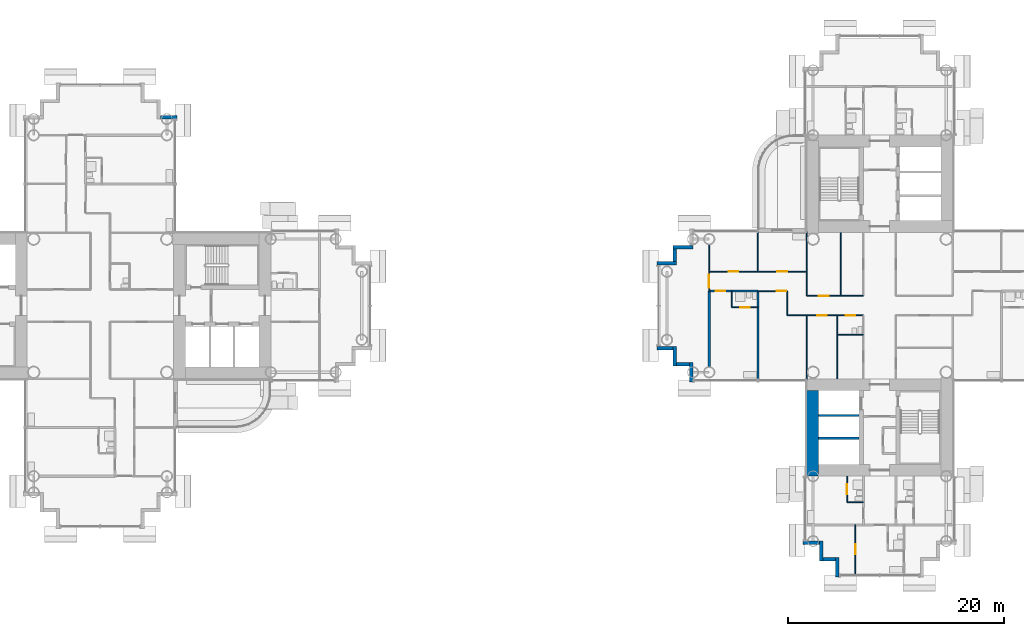
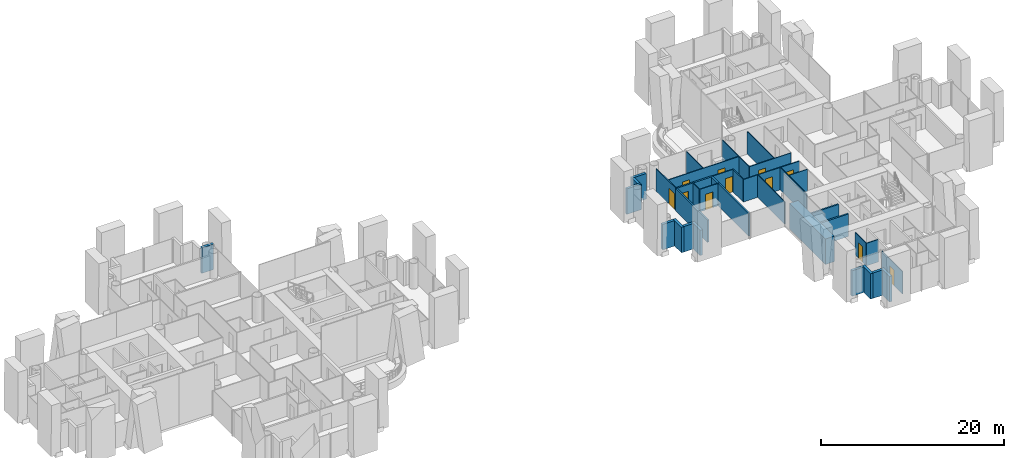
# One storey, part 13 of 23: 35 walls, 11 doors, 11 openings.
"""IFC4 building model written with IfcOpenShell, lengths in metres."""

from ifc_helpers import new_model, si_unit, direction, frame, frame_2d, origin, place, context, subcontext, project, spatial, rectangle, extrude, material, layer, layer_set, type_object, element, fill, save


model = new_model("IFC4")

# Units and contexts
model_context = context("Model", 3, precision=1e-05, world=origin(), true_north=direction((0.0, 1.0)))
body_context = subcontext(model_context, "Body", "Model", "MODEL_VIEW")
ifc_project = project(units=[si_unit("LENGTHUNIT", "METRE"), si_unit("AREAUNIT", "SQUARE_METRE"), si_unit("VOLUMEUNIT", "CUBIC_METRE"), si_unit("PLANEANGLEUNIT", "RADIAN"), si_unit("MASSUNIT", "GRAM", prefix="KILO")], contexts=[model_context])

# Site, building, storey
site_placement = place(None, origin())
site = spatial("IfcSite", under=ifc_project, at=site_placement, CompositionType="ELEMENT")
building_placement = place(site_placement, origin())
building = spatial("IfcBuilding", under=site, at=building_placement, Name="Ipe Terrace Towers", CompositionType="ELEMENT")
storey_placement = place(building_placement, frame((0.0, 0.0, 44.89990234375)))
storey = spatial("IfcBuildingStorey", under=building, at=storey_placement, Name="L11", CompositionType="ELEMENT", Elevation=44.89990234375)

# Walls
ifc_material_1 = material(Name="Concrete C40/50 with buff precast cladding", Category="concrete")
ifc_layer_1 = layer(ifc_material_1, 0.320068359375)
ifc_layer_set_1 = layer_set([ifc_layer_1], Name="BUFF CLADDING WALL 320")
wall_type_1 = type_object("IfcWallType", Name="BUFF CLADDING WALL 320", PredefinedType="STANDARD", material=ifc_layer_set_1)
wall_1_placement = place(storey_placement, frame((-28.929931640625, 17.409912109375, -0.2998046875), z_axis=(0.0, 0.0, 1.0), x_axis=(-1.0, 0.0, 0.0)))
element("IfcWall", 1, at=wall_1_placement, inside=storey, type_object=wall_type_1, Name="T1-W-L11-34a wall", PredefinedType="STANDARD", context=body_context, shape_type="SweptSolid", body=[
    extrude(rectangle(XDim=1.5, YDim=0.320068359375, at=frame_2d((0.75, 0.0))), origin(), (0.0, 0.0, 1.0), 3.39990234375),
])
wall_2_placement = place(storey_placement, frame((18.75, 5.409912109375, -0.2998046875), z_axis=(0.0, 0.0, 1.0), x_axis=(-1.0, 0.0, 0.0)))
element("IfcWall", 2, at=wall_2_placement, inside=storey, type_object=wall_type_1, Name="T2-W-L11-35a wall", PredefinedType="STANDARD", context=body_context, shape_type="SweptSolid", body=[
    extrude(rectangle(XDim=1.820068359375, YDim=0.320068359375, at=frame_2d((0.91015625, 0.0))), origin(), (0.0, 0.0, 1.0), 3.39990234375),
])
wall_3_placement = place(storey_placement, frame((17.090087890625, 5.25, -0.2998046875), z_axis=(0.0, 0.0, 1.0), x_axis=(0.0, -1.0, 0.0)))
element("IfcWall", 3, at=wall_3_placement, inside=storey, type_object=wall_type_1, Name="T2-W-L11-36a wall", PredefinedType="STANDARD", context=body_context, shape_type="SweptSolid", body=[
    extrude(rectangle(XDim=1.179931640625, YDim=0.320068359375, at=frame_2d((0.58984375, 0.0))), origin(), (0.0, 0.0, 1.0), 3.39990234375),
])
wall_4_placement = place(storey_placement, frame((17.25, 3.909912109375, -0.2998046875), z_axis=(0.0, 0.0, 1.0), x_axis=(-1.0, 0.0, 0.0)))
element("IfcWall", 4, at=wall_4_placement, inside=storey, type_object=wall_type_1, Name="T2-W-L11-37a wall", PredefinedType="STANDARD", context=body_context, shape_type="SweptSolid", body=[
    extrude(rectangle(XDim=1.820068359375, YDim=0.320068359375, at=frame_2d((0.91015625, 0.0))), origin(), (0.0, 0.0, 1.0), 3.39990234375),
])
wall_5_placement = place(storey_placement, frame((15.429931640625, -3.909912109375, -0.2998046875), z_axis=(0.0, 0.0, 1.0), x_axis=(1.0, 0.0, 0.0)))
element("IfcWall", 5, at=wall_5_placement, inside=storey, type_object=wall_type_1, Name="T2-W-L11-39a wall", PredefinedType="STANDARD", context=body_context, shape_type="SweptSolid", body=[
    extrude(rectangle(XDim=1.5, YDim=0.320068359375, at=frame_2d((0.75, 0.0))), origin(), (0.0, 0.0, 1.0), 3.39990234375),
])
wall_6_placement = place(storey_placement, frame((17.090087890625, -3.75, -0.2998046875), z_axis=(0.0, 0.0, 1.0), x_axis=(0.0, -1.0, 0.0)))
element("IfcWall", 6, at=wall_6_placement, inside=storey, type_object=wall_type_1, Name="T2-W-L11-40a wall", PredefinedType="STANDARD", context=body_context, shape_type="SweptSolid", body=[
    extrude(rectangle(XDim=1.820068359375, YDim=0.320068359375, at=frame_2d((0.91015625, 0.0))), origin(), (0.0, 0.0, 1.0), 3.39990234375),
])
wall_7_placement = place(storey_placement, frame((17.25, -5.409912109375, -0.2998046875), z_axis=(0.0, 0.0, 1.0), x_axis=(1.0, 0.0, 0.0)))
element("IfcWall", 7, at=wall_7_placement, inside=storey, type_object=wall_type_1, Name="T2-W-L11-41a wall", PredefinedType="STANDARD", context=body_context, shape_type="SweptSolid", body=[
    extrude(rectangle(XDim=1.179931640625, YDim=0.320068359375, at=frame_2d((0.58984375, 0.0))), origin(), (0.0, 0.0, 1.0), 3.39990234375),
])
wall_8_placement = place(storey_placement, frame((18.590087890625, -5.25, -0.2998046875), z_axis=(0.0, 0.0, 1.0), x_axis=(0.0, -1.0, 0.0)))
element("IfcWall", 8, at=wall_8_placement, inside=storey, type_object=wall_type_1, Name="T2-W-L11-42a wall", PredefinedType="STANDARD", context=body_context, shape_type="SweptSolid", body=[
    extrude(rectangle(XDim=1.820068359375, YDim=0.320068359375, at=frame_2d((0.91015625, 0.0))), origin(), (0.0, 0.0, 1.0), 3.39990234375),
])
wall_9_placement = place(storey_placement, frame((28.929931640625, -21.909912109375, -0.2998046875), z_axis=(0.0, 0.0, 1.0), x_axis=(1.0, 0.0, 0.0)))
element("IfcWall", 9, at=wall_9_placement, inside=storey, type_object=wall_type_1, Name="T2-W-L11-47a wall", PredefinedType="STANDARD", context=body_context, shape_type="SweptSolid", body=[
    extrude(rectangle(XDim=1.5, YDim=0.320068359375, at=frame_2d((0.75, 0.0))), origin(), (0.0, 0.0, 1.0), 3.39990234375),
])
wall_10_placement = place(storey_placement, frame((30.590087890625, -21.75, -0.2998046875), z_axis=(0.0, 0.0, 1.0), x_axis=(0.0, -1.0, 0.0)))
element("IfcWall", 10, at=wall_10_placement, inside=storey, type_object=wall_type_1, Name="T2-W-L11-48a wall", PredefinedType="STANDARD", context=body_context, shape_type="SweptSolid", body=[
    extrude(rectangle(XDim=1.820068359375, YDim=0.320068359375, at=frame_2d((0.91015625, 0.0))), origin(), (0.0, 0.0, 1.0), 3.39990234375),
])
wall_11_placement = place(storey_placement, frame((30.75, -23.409912109375, -0.2998046875), z_axis=(0.0, 0.0, 1.0), x_axis=(1.0, 0.0, 0.0)))
element("IfcWall", 11, at=wall_11_placement, inside=storey, type_object=wall_type_1, Name="T2-W-L11-49a wall", PredefinedType="STANDARD", context=body_context, shape_type="SweptSolid", body=[
    extrude(rectangle(XDim=1.179931640625, YDim=0.320068359375, at=frame_2d((0.58984375, 0.0))), origin(), (0.0, 0.0, 1.0), 3.39990234375),
])
wall_12_placement = place(storey_placement, frame((32.090087890625, -23.25, -0.2998046875), z_axis=(0.0, 0.0, 1.0), x_axis=(0.0, -1.0, 0.0)))
element("IfcWall", 12, at=wall_12_placement, inside=storey, type_object=wall_type_1, Name="T2-W-L11-50a wall", PredefinedType="STANDARD", context=body_context, shape_type="SweptSolid", body=[
    extrude(rectangle(XDim=1.820068359375, YDim=0.320068359375, at=frame_2d((0.91015625, 0.0))), origin(), (0.0, 0.0, 1.0), 3.39990234375),
])
ifc_material_2 = material(Name="Gypsum board partition", Category="plasterboard")
ifc_layer_2 = layer(ifc_material_2, 0.10009765625)
ifc_layer_set_2 = layer_set([ifc_layer_2], Name="Gypsum board partition 100 mm")
wall_type_2 = type_object("IfcWallType", Name="Gypsum board partition 100 mm", PredefinedType="PARTITIONING", material=ifc_layer_set_2)
wall_13_placement = place(storey_placement, frame((34.5, -18.14990234375, 0.0), z_axis=(0.0, 0.0, 1.0), x_axis=(-1.0, 0.0, 0.0)))
element("IfcWall", 13, at=wall_13_placement, inside=storey, type_object=wall_type_2, Name="Gypsum board partition T2 L11 W04", PredefinedType="PARTITIONING", context=body_context, shape_type="SweptSolid", body=[
    extrude(rectangle(XDim=1.5, YDim=0.10009765625, at=frame_2d((0.75, 0.0))), origin(), (0.0, 0.0, 1.0), 3.0),
])
wall_14_placement = place(storey_placement, frame((34.5, -2.699951171875, 0.0), z_axis=(0.0, 0.0, 1.0), x_axis=(-1.0, 0.0, 0.0)))
element("IfcWall", 14, at=wall_14_placement, inside=storey, type_object=wall_type_2, Name="Gypsum board partition T2 L11 W06", PredefinedType="PARTITIONING", context=body_context, shape_type="SweptSolid", body=[
    extrude(rectangle(XDim=2.39990234375, YDim=0.10009765625, at=frame_2d((1.199951171875, 0.0))), origin(), (0.0, 0.0, 1.0), 3.0),
])

# Wall, openings, doors
wall_15_placement = place(storey_placement, frame((34.5, -0.89990234375, 0.0), z_axis=(0.0, 0.0, 1.0), x_axis=(-1.0, 0.0, 0.0)))
wall_15 = element("IfcWall", 15, at=wall_15_placement, inside=storey, type_object=wall_type_2, Name="Gypsum board partition T2 L11 W08", PredefinedType="PARTITIONING", context=body_context, shape_type="SweptSolid", body=[
    extrude(rectangle(XDim=7.050048828125, YDim=0.10009765625, at=frame_2d((3.52490234375, 0.0))), origin(), (0.0, 0.0, 1.0), 3.0),
])
opening_1_placement = place(wall_15_placement, frame((0.75, 0.0, 0.0)))
opening_1 = element("IfcOpeningElement", 16, at=opening_1_placement, cuts=wall_15, Name="Opening T2-Z1C-01", PredefinedType="OPENING", context=body_context, shape_type="SweptSolid", body=[
    extrude(rectangle(XDim=0.89990234375, YDim=2.10009765625, at=frame_2d((0.449951171875, 1.050048828125))), frame((0.0, 0.06005859375, 0.0), z_axis=(0.0, -1.0, 0.0), x_axis=(1.0, 0.0, 0.0)), (0.0, 0.0, 1.0), 0.1201171875),
])
opening_2_placement = place(wall_15_placement, frame((3.375, 0.0, 0.0)))
opening_2 = element("IfcOpeningElement", 17, at=opening_2_placement, cuts=wall_15, Name="Opening T2-Z1C-05", PredefinedType="OPENING", context=body_context, shape_type="SweptSolid", body=[
    extrude(rectangle(XDim=0.89990234375, YDim=2.10009765625, at=frame_2d((0.449951171875, 1.050048828125))), frame((0.0, 0.06005859375, 0.0), z_axis=(0.0, -1.0, 0.0), x_axis=(1.0, 0.0, 0.0)), (0.0, 0.0, 1.0), 0.1201171875),
])
ifc_material_3 = material(Name="Timber door leaf", Category="wood")
door_type_1 = type_object("IfcDoorType", Name="Bathroom door 900 x 2100", OperationType="NOTDEFINED", PredefinedType="DOOR", material=ifc_material_3)
door_1_placement = place(opening_1_placement, origin())
door_1 = element("IfcDoor", 18, at=door_1_placement, inside=storey, type_object=door_type_1, Name="Bathroom door T2-Z1C-01", OperationType="SINGLE_SWING_RIGHT", OverallHeight=2.10009765625, OverallWidth=0.89990234375, PredefinedType="DOOR", context=body_context, shape_type="SweptSolid", body=[
    extrude(rectangle(XDim=0.89990234375, YDim=2.10009765625, at=frame_2d((0.449951171875, 1.050048828125))), frame((0.0, 0.02490234375, 0.0), z_axis=(0.0, -1.0, 0.0), x_axis=(1.0, 0.0, 0.0)), (0.0, 0.0, 1.0), 0.050048828125),
])
fill(opening_1, door_1)
ifc_material_4 = material(Name="Timber door leaf", Category="wood")
door_type_2 = type_object("IfcDoorType", Name="Lounge door 900 x 2100", OperationType="NOTDEFINED", PredefinedType="DOOR", material=ifc_material_4)
door_2_placement = place(opening_2_placement, origin())
door_2 = element("IfcDoor", 19, at=door_2_placement, inside=storey, type_object=door_type_2, Name="Lounge door T2-Z1C-05", OperationType="SINGLE_SWING_LEFT", OverallHeight=2.10009765625, OverallWidth=0.89990234375, PredefinedType="DOOR", context=body_context, shape_type="SweptSolid", body=[
    extrude(rectangle(XDim=0.89990234375, YDim=2.10009765625, at=frame_2d((0.449951171875, 1.050048828125))), frame((0.0, 0.02490234375, 0.0), z_axis=(0.0, -1.0, 0.0), x_axis=(1.0, 0.0, 0.0)), (0.0, 0.0, 1.0), 0.050048828125),
])
fill(opening_2, door_2)

# Wall, opening, door
wall_16_placement = place(storey_placement, frame((24.75, -0.14990234375, 0.0), z_axis=(0.0, 0.0, 1.0), x_axis=(-1.0, 0.0, 0.0)))
wall_16 = element("IfcWall", 20, at=wall_16_placement, inside=storey, type_object=wall_type_2, Name="Gypsum board partition T2 L11 W10", PredefinedType="PARTITIONING", context=body_context, shape_type="SweptSolid", body=[
    extrude(rectangle(XDim=2.39990234375, YDim=0.10009765625, at=frame_2d((1.199951171875, 0.0))), origin(), (0.0, 0.0, 1.0), 3.0),
])
opening_3_placement = place(wall_16_placement, frame((0.75, 0.0, 0.0)))
opening_3 = element("IfcOpeningElement", 21, at=opening_3_placement, cuts=wall_16, Name="Opening T2-Z1C-11", PredefinedType="OPENING", context=body_context, shape_type="SweptSolid", body=[
    extrude(rectangle(XDim=0.89990234375, YDim=2.10009765625, at=frame_2d((0.449951171875, 1.050048828125))), frame((0.0, 0.06005859375, 0.0), z_axis=(0.0, -1.0, 0.0), x_axis=(1.0, 0.0, 0.0)), (0.0, 0.0, 1.0), 0.1201171875),
])
door_3_placement = place(opening_3_placement, origin())
door_3 = element("IfcDoor", 22, at=door_3_placement, inside=storey, type_object=door_type_1, Name="Bathroom door T2-Z1C-11", OperationType="SINGLE_SWING_LEFT", OverallHeight=2.10009765625, OverallWidth=0.89990234375, PredefinedType="DOOR", context=body_context, shape_type="SweptSolid", body=[
    extrude(rectangle(XDim=0.89990234375, YDim=2.10009765625, at=frame_2d((0.449951171875, 1.050048828125))), frame((0.0, 0.02490234375, 0.0), z_axis=(0.0, -1.0, 0.0), x_axis=(1.0, 0.0, 0.0)), (0.0, 0.0, 1.0), 0.050048828125),
])
fill(opening_3, door_3)

wall_17_placement = place(storey_placement, frame((34.5, 0.89990234375, 0.0), z_axis=(0.0, 0.0, 1.0), x_axis=(-1.0, 0.0, 0.0)))
wall_17 = element("IfcWall", 23, at=wall_17_placement, inside=storey, type_object=wall_type_2, Name="Gypsum board partition T2 L11 W12", PredefinedType="PARTITIONING", context=body_context, shape_type="SweptSolid", body=[
    extrude(rectangle(XDim=5.25, YDim=0.10009765625, at=frame_2d((2.625, 0.0))), origin(), (0.0, 0.0, 1.0), 3.0),
])
opening_4_placement = place(wall_17_placement, frame((3.22509765625, 0.0, 0.0)))
opening_4 = element("IfcOpeningElement", 24, at=opening_4_placement, cuts=wall_17, Name="Opening T2-Z1C-03", PredefinedType="OPENING", context=body_context, shape_type="SweptSolid", body=[
    extrude(rectangle(XDim=0.89990234375, YDim=2.10009765625, at=frame_2d((0.449951171875, 1.050048828125))), frame((0.0, 0.06005859375, 0.0), z_axis=(0.0, -1.0, 0.0), x_axis=(1.0, 0.0, 0.0)), (0.0, 0.0, 1.0), 0.1201171875),
])
door_4_placement = place(opening_4_placement, origin())
door_4 = element("IfcDoor", 25, at=door_4_placement, inside=storey, type_object=door_type_2, Name="Lounge door T2-Z1C-03", OperationType="SINGLE_SWING_RIGHT", OverallHeight=2.10009765625, OverallWidth=0.89990234375, PredefinedType="DOOR", context=body_context, shape_type="SweptSolid", body=[
    extrude(rectangle(XDim=0.89990234375, YDim=2.10009765625, at=frame_2d((0.449951171875, 1.050048828125))), frame((0.0, 0.02490234375, 0.0), z_axis=(0.0, -1.0, 0.0), x_axis=(1.0, 0.0, 0.0)), (0.0, 0.0, 1.0), 0.050048828125),
])
fill(opening_4, door_4)

wall_18_placement = place(storey_placement, frame((27.449951171875, 1.35009765625, 0.0), z_axis=(0.0, 0.0, 1.0), x_axis=(-1.0, 0.0, 0.0)))
wall_18 = element("IfcWall", 26, at=wall_18_placement, inside=storey, type_object=wall_type_2, Name="Gypsum board partition T2 L11 W14", PredefinedType="PARTITIONING", context=body_context, shape_type="SweptSolid", body=[
    extrude(rectangle(XDim=2.699951171875, YDim=0.10009765625, at=frame_2d((1.35009765625, 0.0))), origin(), (0.0, 0.0, 1.0), 3.0),
])
opening_5_placement = place(wall_18_placement, frame((0.070068359375, 0.0, 0.0)))
opening_5 = element("IfcOpeningElement", 27, at=opening_5_placement, cuts=wall_18, Name="Opening T2-Z1C-09", PredefinedType="OPENING", context=body_context, shape_type="SweptSolid", body=[
    extrude(rectangle(XDim=0.89990234375, YDim=2.10009765625, at=frame_2d((0.449951171875, 1.050048828125))), frame((0.0, 0.06005859375, 0.0), z_axis=(0.0, -1.0, 0.0), x_axis=(1.0, 0.0, 0.0)), (0.0, 0.0, 1.0), 0.1201171875),
])
door_5_placement = place(opening_5_placement, origin())
door_5 = element("IfcDoor", 28, at=door_5_placement, inside=storey, type_object=door_type_2, Name="Lounge door T2-Z1C-09", OperationType="SINGLE_SWING_RIGHT", OverallHeight=2.10009765625, OverallWidth=0.89990234375, PredefinedType="DOOR", context=body_context, shape_type="SweptSolid", body=[
    extrude(rectangle(XDim=0.89990234375, YDim=2.10009765625, at=frame_2d((0.449951171875, 1.050048828125))), frame((0.0, 0.02490234375, 0.0), z_axis=(0.0, -1.0, 0.0), x_axis=(1.0, 0.0, 0.0)), (0.0, 0.0, 1.0), 0.050048828125),
])
fill(opening_5, door_5)

# Wall, openings, doors
wall_19_placement = place(storey_placement, frame((29.25, 3.14990234375, 0.0), z_axis=(0.0, 0.0, 1.0), x_axis=(-1.0, 0.0, 0.0)))
wall_19 = element("IfcWall", 29, at=wall_19_placement, inside=storey, type_object=wall_type_2, Name="Gypsum board partition T2 L11 W18", PredefinedType="PARTITIONING", context=body_context, shape_type="SweptSolid", body=[
    extrude(rectangle(XDim=9.0, YDim=0.10009765625, at=frame_2d((4.5, 0.0))), origin(), (0.0, 0.0, 1.0), 3.0),
])
opening_6_placement = place(wall_19_placement, frame((1.800048828125, 0.0, 0.0)))
opening_6 = element("IfcOpeningElement", 30, at=opening_6_placement, cuts=wall_19, Name="Opening T2-Z1C-12", PredefinedType="OPENING", context=body_context, shape_type="SweptSolid", body=[
    extrude(rectangle(XDim=0.89990234375, YDim=2.10009765625, at=frame_2d((0.449951171875, 1.050048828125))), frame((0.0, 0.06005859375, 0.0), z_axis=(0.0, -1.0, 0.0), x_axis=(1.0, 0.0, 0.0)), (0.0, 0.0, 1.0), 0.1201171875),
])
opening_7_placement = place(wall_19_placement, frame((6.300048828125, 0.0, 0.0)))
opening_7 = element("IfcOpeningElement", 31, at=opening_7_placement, cuts=wall_19, Name="Opening T2-Z1C-13", PredefinedType="OPENING", context=body_context, shape_type="SweptSolid", body=[
    extrude(rectangle(XDim=0.89990234375, YDim=2.10009765625, at=frame_2d((0.449951171875, 1.050048828125))), frame((0.0, 0.06005859375, 0.0), z_axis=(0.0, -1.0, 0.0), x_axis=(1.0, 0.0, 0.0)), (0.0, 0.0, 1.0), 0.1201171875),
])
door_6_placement = place(opening_6_placement, origin())
door_6 = element("IfcDoor", 32, at=door_6_placement, inside=storey, type_object=door_type_2, Name="Lounge door T2-Z1C-12", OperationType="SINGLE_SWING_LEFT", OverallHeight=2.10009765625, OverallWidth=0.89990234375, PredefinedType="DOOR", context=body_context, shape_type="SweptSolid", body=[
    extrude(rectangle(XDim=0.89990234375, YDim=2.10009765625, at=frame_2d((0.449951171875, 1.050048828125))), frame((0.0, 0.02490234375, 0.0), z_axis=(0.0, -1.0, 0.0), x_axis=(1.0, 0.0, 0.0)), (0.0, 0.0, 1.0), 0.050048828125),
])
fill(opening_6, door_6)
door_7_placement = place(opening_7_placement, origin())
door_7 = element("IfcDoor", 33, at=door_7_placement, inside=storey, type_object=door_type_2, Name="Lounge door T2-Z1C-13", OperationType="SINGLE_SWING_RIGHT", OverallHeight=2.10009765625, OverallWidth=0.89990234375, PredefinedType="DOOR", context=body_context, shape_type="SweptSolid", body=[
    extrude(rectangle(XDim=0.89990234375, YDim=2.10009765625, at=frame_2d((0.449951171875, 1.050048828125))), frame((0.0, 0.02490234375, 0.0), z_axis=(0.0, -1.0, 0.0), x_axis=(1.0, 0.0, 0.0)), (0.0, 0.0, 1.0), 0.050048828125),
])
fill(opening_7, door_7)

# Wall, opening, door
wall_20_placement = place(storey_placement, frame((33.75, -24.85009765625, 0.0), z_axis=(0.0, 0.0, 1.0), x_axis=(0.0, 1.0, 0.0)))
wall_20 = element("IfcWall", 34, at=wall_20_placement, inside=storey, type_object=wall_type_2, Name="Gypsum board partition T2 L11 W44", PredefinedType="PARTITIONING", context=body_context, shape_type="SweptSolid", body=[
    extrude(rectangle(XDim=4.60009765625, YDim=0.10009765625, at=frame_2d((2.300048828125, 0.0))), origin(), (0.0, 0.0, 1.0), 3.0),
])
opening_8_placement = place(wall_20_placement, frame((1.89990234375, 0.0, 0.0)))
opening_8 = element("IfcOpeningElement", 35, at=opening_8_placement, cuts=wall_20, Name="Opening T2-Z1C-35", PredefinedType="OPENING", context=body_context, shape_type="SweptSolid", body=[
    extrude(rectangle(XDim=0.89990234375, YDim=2.10009765625, at=frame_2d((0.449951171875, 1.050048828125))), frame((0.0, 0.06005859375, 0.0), z_axis=(0.0, -1.0, 0.0), x_axis=(1.0, 0.0, 0.0)), (0.0, 0.0, 1.0), 0.1201171875),
])
door_8_placement = place(opening_8_placement, origin())
door_8 = element("IfcDoor", 36, at=door_8_placement, inside=storey, type_object=door_type_2, Name="Lounge door T2-Z1C-35", OperationType="SINGLE_SWING_LEFT", OverallHeight=2.10009765625, OverallWidth=0.89990234375, PredefinedType="DOOR", context=body_context, shape_type="SweptSolid", body=[
    extrude(rectangle(XDim=0.89990234375, YDim=2.10009765625, at=frame_2d((0.449951171875, 1.050048828125))), frame((0.0, 0.02490234375, 0.0), z_axis=(0.0, -1.0, 0.0), x_axis=(1.0, 0.0, 0.0)), (0.0, 0.0, 1.0), 0.050048828125),
])
fill(opening_8, door_8)

wall_21_placement = place(storey_placement, frame((33.0, -18.14990234375, 0.0), z_axis=(0.0, 0.0, 1.0), x_axis=(0.0, 1.0, 0.0)))
wall_21 = element("IfcWall", 37, at=wall_21_placement, inside=storey, type_object=wall_type_2, Name="Gypsum board partition T2 L11 W45", PredefinedType="PARTITIONING", context=body_context, shape_type="SweptSolid", body=[
    extrude(rectangle(XDim=2.39990234375, YDim=0.10009765625, at=frame_2d((1.199951171875, 0.0))), origin(), (0.0, 0.0, 1.0), 3.0),
])
opening_9_placement = place(wall_21_placement, frame((0.75, 0.0, 0.0)))
opening_9 = element("IfcOpeningElement", 38, at=opening_9_placement, cuts=wall_21, Name="Opening T2-Z1C-31", PredefinedType="OPENING", context=body_context, shape_type="SweptSolid", body=[
    extrude(rectangle(XDim=0.89990234375, YDim=2.10009765625, at=frame_2d((0.449951171875, 1.050048828125))), frame((0.0, 0.06005859375, 0.0), z_axis=(0.0, -1.0, 0.0), x_axis=(1.0, 0.0, 0.0)), (0.0, 0.0, 1.0), 0.1201171875),
])
door_9_placement = place(opening_9_placement, origin())
door_9 = element("IfcDoor", 39, at=door_9_placement, inside=storey, type_object=door_type_1, Name="Bathroom door T2-Z1C-31", OperationType="SINGLE_SWING_RIGHT", OverallHeight=2.10009765625, OverallWidth=0.89990234375, PredefinedType="DOOR", context=body_context, shape_type="SweptSolid", body=[
    extrude(rectangle(XDim=0.89990234375, YDim=2.10009765625, at=frame_2d((0.449951171875, 1.050048828125))), frame((0.0, 0.02490234375, 0.0), z_axis=(0.0, -1.0, 0.0), x_axis=(1.0, 0.0, 0.0)), (0.0, 0.0, 1.0), 0.050048828125),
])
fill(opening_9, door_9)

# Walls
for number, where, z_axis, x_axis, name in (
    (40, (32.39990234375, 0.89990234375, 0.0), (0.0, 0.0, 1.0), (0.0, 1.0, 0.0), "Gypsum board partition T2 L11 W47"),
    (41, (32.10009765625, -6.75, 0.0), (0.0, 0.0, 1.0), (0.0, 1.0, 0.0), "Gypsum board partition T2 L11 W48"),
):
    element("IfcWall", number, at=place(storey_placement, frame(where, z_axis=z_axis, x_axis=x_axis)), inside=storey, type_object=wall_type_2, Name=name, PredefinedType="PARTITIONING", context=body_context, shape_type="SweptSolid", body=[
        extrude(rectangle(XDim=5.85009765625, YDim=0.10009765625, at=frame_2d((2.925048828125, 0.0))), origin(), (0.0, 0.0, 1.0), 3.0),
    ])
for number, where, z_axis, x_axis, name in (
    (42, (29.25, -6.85009765625, 0.0), (0.0, 0.0, 1.0), (0.0, 1.0, 0.0), "Gypsum board partition T2 L11 W49"),
    (43, (29.25, 0.89990234375, 0.0), (0.0, 0.0, 1.0), (0.0, 1.0, 0.0), "Gypsum board partition T2 L11 W50"),
):
    element("IfcWall", number, at=place(storey_placement, frame(where, z_axis=z_axis, x_axis=x_axis)), inside=storey, type_object=wall_type_2, Name=name, PredefinedType="PARTITIONING", context=body_context, shape_type="SweptSolid", body=[
        extrude(rectangle(XDim=5.9501953125, YDim=0.10009765625, at=frame_2d((2.97509765625, 0.0))), origin(), (0.0, 0.0, 1.0), 3.0),
    ])
wall_22_placement = place(storey_placement, frame((27.449951171875, -0.89990234375, 0.0), z_axis=(0.0, 0.0, 1.0), x_axis=(0.0, 1.0, 0.0)))
element("IfcWall", 44, at=wall_22_placement, inside=storey, type_object=wall_type_2, Name="Gypsum board partition T2 L11 W51", PredefinedType="PARTITIONING", context=body_context, shape_type="SweptSolid", body=[
    extrude(rectangle(XDim=2.25, YDim=0.10009765625, at=frame_2d((1.125, 0.0))), origin(), (0.0, 0.0, 1.0), 3.0),
])
wall_23_placement = place(storey_placement, frame((24.75, 3.14990234375, 0.0), z_axis=(0.0, 0.0, 1.0), x_axis=(0.0, 1.0, 0.0)))
element("IfcWall", 45, at=wall_23_placement, inside=storey, type_object=wall_type_2, Name="Gypsum board partition T2 L11 W52", PredefinedType="PARTITIONING", context=body_context, shape_type="SweptSolid", body=[
    extrude(rectangle(XDim=3.7001953125, YDim=0.10009765625, at=frame_2d((1.85009765625, 0.0))), origin(), (0.0, 0.0, 1.0), 3.0),
])
wall_24_placement = place(storey_placement, frame((22.35009765625, -0.14990234375, 0.0), z_axis=(0.0, 0.0, 1.0), x_axis=(0.0, 1.0, 0.0)))
element("IfcWall", 46, at=wall_24_placement, inside=storey, type_object=wall_type_2, Name="Gypsum board partition T2 L11 W54", PredefinedType="PARTITIONING", context=body_context, shape_type="SweptSolid", body=[
    extrude(rectangle(XDim=1.5, YDim=0.10009765625, at=frame_2d((0.75, 0.0))), origin(), (0.0, 0.0, 1.0), 3.0),
])

# Wall, opening, door
wall_25_placement = place(storey_placement, frame((20.25, 1.35009765625, 0.0), z_axis=(0.0, 0.0, 1.0), x_axis=(0.0, 1.0, 0.0)))
wall_25 = element("IfcWall", 47, at=wall_25_placement, inside=storey, type_object=wall_type_2, Name="Gypsum board partition T2 L11 W55", PredefinedType="PARTITIONING", context=body_context, shape_type="SweptSolid", body=[
    extrude(rectangle(XDim=4.2998046875, YDim=0.10009765625, at=frame_2d((2.14990234375, 0.0))), origin(), (0.0, 0.0, 1.0), 3.0),
])
opening_10_placement = place(wall_25_placement, frame((0.300048828125, 0.0, 0.0)))
opening_10 = element("IfcOpeningElement", 48, at=opening_10_placement, cuts=wall_25, Name="Opening T2-Z1C-14", PredefinedType="OPENING", context=body_context, shape_type="SweptSolid", body=[
    extrude(rectangle(XDim=1.199951171875, YDim=2.10009765625, at=frame_2d((0.60009765625, 1.050048828125))), frame((0.0, 0.06005859375, 0.0), z_axis=(0.0, -1.0, 0.0), x_axis=(1.0, 0.0, 0.0)), (0.0, 0.0, 1.0), 0.1201171875),
])
ifc_material_5 = material(Name="Timber door leaf", Category="wood")
door_type_3 = type_object("IfcDoorType", Name="Lounge door 1200 x 2100", OperationType="NOTDEFINED", PredefinedType="DOOR", material=ifc_material_5)
door_10_placement = place(opening_10_placement, origin())
door_10 = element("IfcDoor", 49, at=door_10_placement, inside=storey, type_object=door_type_3, Name="Lounge door T2-Z1C-14", OperationType="SINGLE_SWING_RIGHT", OverallHeight=2.10009765625, OverallWidth=1.199951171875, PredefinedType="DOOR", context=body_context, shape_type="SweptSolid", body=[
    extrude(rectangle(XDim=1.199951171875, YDim=2.10009765625, at=frame_2d((0.60009765625, 1.050048828125))), frame((0.0, 0.02490234375, 0.0), z_axis=(0.0, -1.0, 0.0), x_axis=(1.0, 0.0, 0.0)), (0.0, 0.0, 1.0), 0.050048828125),
])
fill(opening_10, door_10)

# Walls
ifc_material_6 = material(Name="Gypsum board party wall", Category="plasterboard")
ifc_layer_3 = layer(ifc_material_6, 0.199951171875)
ifc_layer_set_3 = layer_set([ifc_layer_3], Name="Gypsum board party wall 200 mm")
wall_type_3 = type_object("IfcWallType", Name="Gypsum board party wall 200 mm", PredefinedType="SOLIDWALL", material=ifc_layer_set_3)
for number, where, z_axis, x_axis, name in (
    (50, (30.35009765625, -10.14990234375, 0.0), (0.0, 0.0, 1.0), (1.0, 0.0, 0.0), "Gypsum board party wall T2 L11 t2c2-shaft-div1"),
    (51, (30.35009765625, -12.25, 0.0), (0.0, 0.0, 1.0), (1.0, 0.0, 0.0), "Gypsum board party wall T2 L11 t2c2-shaft-div2"),
):
    element("IfcWall", number, at=place(storey_placement, frame(where, z_axis=z_axis, x_axis=x_axis)), inside=storey, type_object=wall_type_3, Name=name, PredefinedType="SOLIDWALL", context=body_context, shape_type="SweptSolid", body=[
        extrude(rectangle(XDim=3.75, YDim=0.199951171875, at=frame_2d((1.875, 0.0))), origin(), (0.0, 0.0, 1.0), 3.0),
    ])

# Wall, opening, door
wall_26_placement = place(storey_placement, frame((24.75, 1.35009765625, 0.0), z_axis=(0.0, 0.0, 1.0), x_axis=(-1.0, 0.0, 0.0)))
wall_26 = element("IfcWall", 52, at=wall_26_placement, inside=storey, type_object=wall_type_3, Name="Gypsum board party wall T2 L11 W16", PredefinedType="SOLIDWALL", context=body_context, shape_type="SweptSolid", body=[
    extrude(rectangle(XDim=4.5, YDim=0.199951171875, at=frame_2d((2.25, 0.0))), origin(), (0.0, 0.0, 1.0), 3.0),
])
opening_11_placement = place(wall_26_placement, frame((3.0, 0.0, 0.0)))
opening_11 = element("IfcOpeningElement", 53, at=opening_11_placement, cuts=wall_26, Name="Opening T2-Z1C-10", PredefinedType="OPENING", context=body_context, shape_type="SweptSolid", body=[
    extrude(rectangle(XDim=0.89990234375, YDim=2.10009765625, at=frame_2d((0.449951171875, 1.050048828125))), frame((0.0, 0.10986328125, 0.0), z_axis=(0.0, -1.0, 0.0), x_axis=(1.0, 0.0, 0.0)), (0.0, 0.0, 1.0), 0.219970703125),
])
ifc_material_7 = material(Name="Fire-rated timber door leaf", Category="wood")
door_type_4 = type_object("IfcDoorType", Name="Flat entrance door 900 x 2100 FD30S", OperationType="NOTDEFINED", PredefinedType="DOOR", material=ifc_material_7)
door_11_placement = place(opening_11_placement, origin())
door_11 = element("IfcDoor", 54, at=door_11_placement, inside=storey, type_object=door_type_4, Name="Flat entrance door T2-Z1C-10", OperationType="SINGLE_SWING_LEFT", OverallHeight=2.10009765625, OverallWidth=0.89990234375, PredefinedType="DOOR", context=body_context, shape_type="SweptSolid", body=[
    extrude(rectangle(XDim=0.89990234375, YDim=2.10009765625, at=frame_2d((0.449951171875, 1.050048828125))), frame((0.0, 0.02490234375, 0.0), z_axis=(0.0, -1.0, 0.0), x_axis=(1.0, 0.0, 0.0)), (0.0, 0.0, 1.0), 0.050048828125),
])
fill(opening_11, door_11)

# Walls
wall_27_placement = place(storey_placement, frame((24.75, -6.85009765625, 0.0), z_axis=(0.0, 0.0, 1.0), x_axis=(0.0, 1.0, 0.0)))
element("IfcWall", 55, at=wall_27_placement, inside=storey, type_object=wall_type_3, Name="Gypsum board party wall T2 L11 W53", PredefinedType="SOLIDWALL", context=body_context, shape_type="SweptSolid", body=[
    extrude(rectangle(XDim=8.2001953125, YDim=0.199951171875, at=frame_2d((4.10009765625, 0.0))), origin(), (0.0, 0.0, 1.0), 3.0),
])
wall_28_placement = place(storey_placement, frame((20.25, -5.64990234375, 0.0), z_axis=(0.0, 0.0, 1.0), x_axis=(0.0, 1.0, 0.0)))
element("IfcWall", 56, at=wall_28_placement, inside=storey, type_object=wall_type_3, Name="Gypsum board party wall T2 L11 W56", PredefinedType="SOLIDWALL", context=body_context, shape_type="SweptSolid", body=[
    extrude(rectangle(XDim=7.0, YDim=0.199951171875, at=frame_2d((3.5, 0.0))), origin(), (0.0, 0.0, 1.0), 3.0),
])
ifc_material_8 = material(Name="Concrete C60/75", Category="concrete")
ifc_layer_4 = layer(ifc_material_8, 1.10009765625)
ifc_layer_set_4 = layer_set([ifc_layer_4], Name="RW1100 CORE WALL 1100 C60-75")
wall_type_4 = type_object("IfcWallType", Name="RW1100 CORE WALL 1100 C60-75", PredefinedType="SHEAR", material=ifc_layer_set_4)
wall_29_placement = place(storey_placement, frame((29.800048828125, -7.85009765625, 0.0), z_axis=(0.0, 0.0, 1.0), x_axis=(0.0, -1.0, 0.0)))
element("IfcWall", 57, at=wall_29_placement, inside=storey, type_object=wall_type_4, Name="Core wall T2-C2-Z1-W04", PredefinedType="SHEAR", context=body_context, shape_type="SweptSolid", body=[
    extrude(rectangle(XDim=7.89990234375, YDim=1.10009765625, at=frame_2d((3.949951171875, 0.0))), origin(), (0.0, 0.0, 1.0), 3.400146484375),
])

save(model, "model.ifc")
